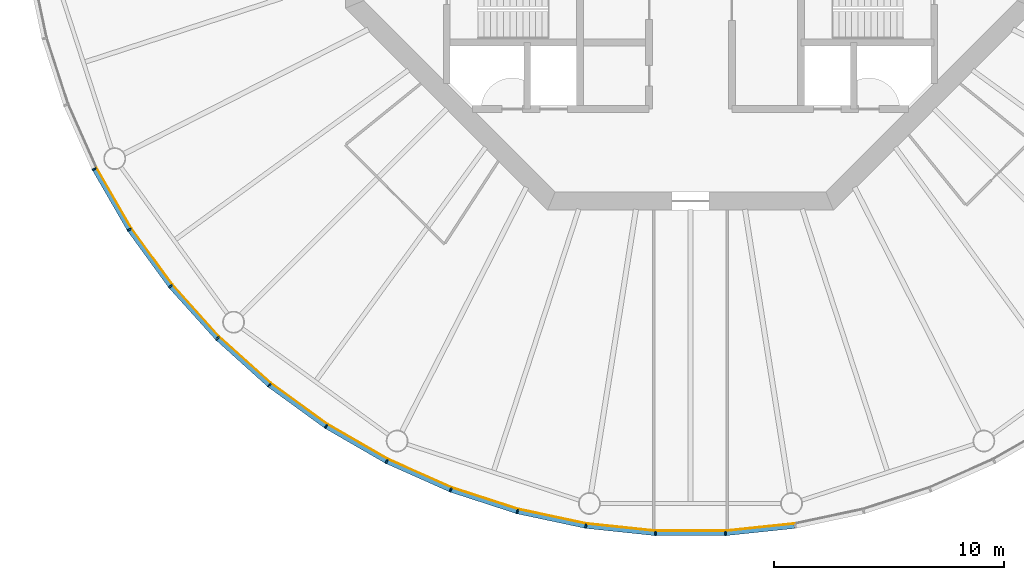
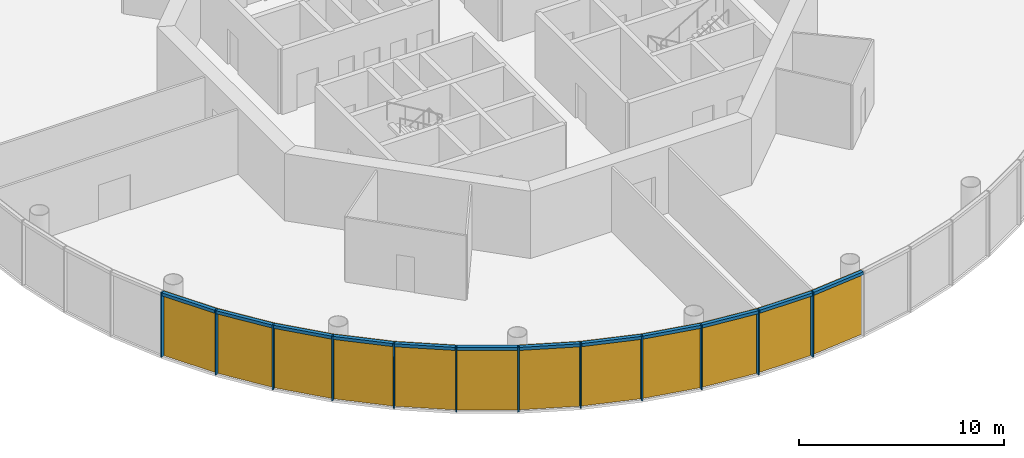
# One storey, part 6 of 12: 24 members, 4 curtain walls.
"""IFC4 building model written with IfcOpenShell, lengths in metres."""

from ifc_helpers import new_model, si_unit, direction, frame, origin, origin_2d, place, context, subcontext, project, spatial, polyline, rectangle, outline, extrude, material, layer, layer_set, material_profile, profile_set, type_object, element, aggregate, save


model = new_model("IFC4")

# Units and contexts
model_context = context("Model", 3, precision=1e-05, world=origin(), true_north=direction((0.0, 1.0)))
body_context = subcontext(model_context, "Body", "Model", "MODEL_VIEW")
ifc_project = project(units=[si_unit("LENGTHUNIT", "METRE"), si_unit("AREAUNIT", "SQUARE_METRE"), si_unit("VOLUMEUNIT", "CUBIC_METRE"), si_unit("PLANEANGLEUNIT", "RADIAN"), si_unit("MASSUNIT", "GRAM", prefix="KILO")], contexts=[model_context])

# Member
ifc_material_1 = material(Name="Anodised aluminium", Category="aluminium")
ifc_material_profile_1 = material_profile(ifc_material_1, rectangle(XDim=0.06494140625, YDim=0.195068359375, at=origin_2d()), Name="Mullion 65 x 195 mm anodised aluminium")
ifc_profile_set_1 = profile_set([ifc_material_profile_1], Name="Anodised aluminium")
member_type_1 = type_object("IfcMemberType", Name="Mullion 65 x 195 mm anodised aluminium", PredefinedType="MULLION", material=ifc_profile_set_1)
site_placement = place(None, origin())
building_placement = place(site_placement, origin())
storey_placement = place(building_placement, frame((0.0, 0.0, 322.0)))
member_1_placement = place(storey_placement, frame((64.073974609375, 66.7900390625, 0.0), z_axis=(0.0, 0.0, 1.0), x_axis=(0.45399049974, -0.891006524188, 0.0)))
member_1 = element("IfcMember", 1, at=member_1_placement, type_object=member_type_1, Name="MULLION L74-33", PredefinedType="MULLION", context=body_context, shape_type="SweptSolid", body=[
    extrude(rectangle(XDim=0.06494140625, YDim=0.195068359375, at=origin_2d()), origin(), (0.0, 0.0, 1.0), 3.85009765625),
])

member_2_placement = place(storey_placement, frame((65.5966796875, 64.15234375, 0.0), z_axis=(0.0, 0.0, 1.0), x_axis=(0.544639035015, -0.838670567945, 0.0)))
member_2 = element("IfcMember", 2, at=member_2_placement, type_object=member_type_1, Name="MULLION L74-34", PredefinedType="MULLION", context=body_context, shape_type="SweptSolid", body=[
    extrude(rectangle(XDim=0.06494140625, YDim=0.195068359375, at=origin_2d()), origin(), (0.0, 0.0, 1.0), 3.85009765625),
])

member_3_placement = place(storey_placement, frame((67.386962890625, 61.688232421875, 0.0), z_axis=(0.0, 0.0, 1.0), x_axis=(0.62932039105, -0.777145961457, 0.0)))
member_3 = element("IfcMember", 3, at=member_3_placement, type_object=member_type_1, Name="MULLION L74-35", PredefinedType="MULLION", context=body_context, shape_type="SweptSolid", body=[
    extrude(rectangle(XDim=0.06494140625, YDim=0.195068359375, at=origin_2d()), origin(), (0.0, 0.0, 1.0), 3.85009765625),
])

member_4_placement = place(storey_placement, frame((69.425048828125, 59.425048828125, 0.0), z_axis=(0.0, 0.0, 1.0), x_axis=(0.707106781187, -0.707106781187, 0.0)))
member_4 = element("IfcMember", 4, at=member_4_placement, type_object=member_type_1, Name="MULLION L74-36", PredefinedType="MULLION", context=body_context, shape_type="SweptSolid", body=[
    extrude(rectangle(XDim=0.06494140625, YDim=0.195068359375, at=origin_2d()), origin(), (0.0, 0.0, 1.0), 3.85009765625),
])

member_5_placement = place(storey_placement, frame((71.688232421875, 57.386962890625, 0.0), z_axis=(0.0, 0.0, 1.0), x_axis=(0.777145961457, -0.62932039105, 0.0)))
member_5 = element("IfcMember", 5, at=member_5_placement, type_object=member_type_1, Name="MULLION L74-37", PredefinedType="MULLION", context=body_context, shape_type="SweptSolid", body=[
    extrude(rectangle(XDim=0.06494140625, YDim=0.195068359375, at=origin_2d()), origin(), (0.0, 0.0, 1.0), 3.85009765625),
])

member_6_placement = place(storey_placement, frame((74.15234375, 55.5966796875, 0.0), z_axis=(0.0, 0.0, 1.0), x_axis=(0.838670567945, -0.544639035015, 0.0)))
member_6 = element("IfcMember", 6, at=member_6_placement, type_object=member_type_1, Name="MULLION L74-38", PredefinedType="MULLION", context=body_context, shape_type="SweptSolid", body=[
    extrude(rectangle(XDim=0.06494140625, YDim=0.195068359375, at=origin_2d()), origin(), (0.0, 0.0, 1.0), 3.85009765625),
])

member_7_placement = place(storey_placement, frame((76.7900390625, 54.073974609375, 0.0), z_axis=(0.0, 0.0, 1.0), x_axis=(0.891006524188, -0.45399049974, 0.0)))
member_7 = element("IfcMember", 7, at=member_7_placement, type_object=member_type_1, Name="MULLION L74-39", PredefinedType="MULLION", context=body_context, shape_type="SweptSolid", body=[
    extrude(rectangle(XDim=0.06494140625, YDim=0.195068359375, at=origin_2d()), origin(), (0.0, 0.0, 1.0), 3.85009765625),
])

member_8_placement = place(storey_placement, frame((79.572509765625, 52.835205078125, 0.0), z_axis=(0.0, 0.0, 1.0), x_axis=(0.933580426497, -0.358367949545, 0.0)))
member_8 = element("IfcMember", 8, at=member_8_placement, type_object=member_type_1, Name="MULLION L74-40", PredefinedType="MULLION", context=body_context, shape_type="SweptSolid", body=[
    extrude(rectangle(XDim=0.06494140625, YDim=0.195068359375, at=origin_2d()), origin(), (0.0, 0.0, 1.0), 3.85009765625),
])

member_9_placement = place(storey_placement, frame((82.468994140625, 51.89404296875, 0.0), z_axis=(0.0, 0.0, 1.0), x_axis=(0.965925826289, -0.258819045103, 0.0)))
member_9 = element("IfcMember", 9, at=member_9_placement, type_object=member_type_1, Name="MULLION L74-41", PredefinedType="MULLION", context=body_context, shape_type="SweptSolid", body=[
    extrude(rectangle(XDim=0.06494140625, YDim=0.195068359375, at=origin_2d()), origin(), (0.0, 0.0, 1.0), 3.85009765625),
])

member_10_placement = place(storey_placement, frame((85.4482421875, 51.2607421875, 0.0), z_axis=(0.0, 0.0, 1.0), x_axis=(0.987688340595, -0.15643446504, 0.0)))
member_10 = element("IfcMember", 10, at=member_10_placement, type_object=member_type_1, Name="MULLION L74-42", PredefinedType="MULLION", context=body_context, shape_type="SweptSolid", body=[
    extrude(rectangle(XDim=0.06494140625, YDim=0.195068359375, at=origin_2d()), origin(), (0.0, 0.0, 1.0), 3.85009765625),
])

member_11_placement = place(storey_placement, frame((88.47705078125, 50.9423828125, 0.0), z_axis=(0.0, 0.0, 1.0), x_axis=(0.998629534755, -0.052335956243, 0.0)))
member_11 = element("IfcMember", 11, at=member_11_placement, type_object=member_type_1, Name="MULLION L74-43", PredefinedType="MULLION", context=body_context, shape_type="SweptSolid", body=[
    extrude(rectangle(XDim=0.06494140625, YDim=0.195068359375, at=origin_2d()), origin(), (0.0, 0.0, 1.0), 3.85009765625),
])

member_12_placement = place(storey_placement, frame((91.52294921875, 50.9423828125, 0.0), z_axis=(0.0, 0.0, 1.0), x_axis=(0.998629534755, 0.052335956243, 0.0)))
member_12 = element("IfcMember", 12, at=member_12_placement, type_object=member_type_1, Name="MULLION L74-44", PredefinedType="MULLION", context=body_context, shape_type="SweptSolid", body=[
    extrude(rectangle(XDim=0.06494140625, YDim=0.195068359375, at=origin_2d()), origin(), (0.0, 0.0, 1.0), 3.85009765625),
])

ifc_material_2 = material(Name="Anodised aluminium", Category="aluminium")
ifc_material_profile_2 = material_profile(ifc_material_2, rectangle(XDim=0.195068359375, YDim=0.179931640625, at=origin_2d()), Name="Transom 180 x 195 mm anodised aluminium")
ifc_profile_set_2 = profile_set([ifc_material_profile_2], Name="Anodised aluminium")
member_type_2 = type_object("IfcMemberType", Name="Transom 180 x 195 mm anodised aluminium", PredefinedType="USERDEFINED", material=ifc_profile_set_2)
member_13_placement = place(storey_placement, frame((64.092529296875, 66.75732421875, 3.760009765625), z_axis=(0.500028367561, -0.866009025146, 0.0), x_axis=(0.866009025146, 0.500028367561, 0.0)))
member_13 = element("IfcMember", 13, at=member_13_placement, type_object=member_type_2, Name="TRANSOM L74-33", ObjectType="TRANSOM", PredefinedType="USERDEFINED", context=body_context, shape_type="SweptSolid", body=[
    extrude(rectangle(XDim=0.195068359375, YDim=0.179931640625, at=origin_2d()), origin(), (0.0, 0.0, 1.0), 2.970458984375),
])

member_14_placement = place(storey_placement, frame((65.618896484375, 64.121826171875, 3.760009765625), z_axis=(0.587765987476, -0.809030990733, 0.0), x_axis=(0.809030990733, 0.587765987476, 0.0)))
member_14 = element("IfcMember", 14, at=member_14_placement, type_object=member_type_2, Name="TRANSOM L74-34", ObjectType="TRANSOM", PredefinedType="USERDEFINED", context=body_context, shape_type="SweptSolid", body=[
    extrude(rectangle(XDim=0.195068359375, YDim=0.179931640625, at=origin_2d()), origin(), (0.0, 0.0, 1.0), 2.97021484375),
])

member_15_placement = place(storey_placement, frame((67.412109375, 61.660400390625, 3.760009765625), z_axis=(0.669110027395, -0.743163354343, 0.0), x_axis=(0.743163354343, 0.669110027395, 0.0)))
member_15 = element("IfcMember", 15, at=member_15_placement, type_object=member_type_2, Name="TRANSOM L74-35", ObjectType="TRANSOM", PredefinedType="USERDEFINED", context=body_context, shape_type="SweptSolid", body=[
    extrude(rectangle(XDim=0.195068359375, YDim=0.179931640625, at=origin_2d()), origin(), (0.0, 0.0, 1.0), 2.970458984375),
])

member_16_placement = place(storey_placement, frame((69.452880859375, 59.399658203125, 3.760009765625), z_axis=(0.743163354343, -0.669110027395, 0.0), x_axis=(0.669110027395, 0.743163354343, 0.0)))
member_16 = element("IfcMember", 16, at=member_16_placement, type_object=member_type_2, Name="TRANSOM L74-36", ObjectType="TRANSOM", PredefinedType="USERDEFINED", context=body_context, shape_type="SweptSolid", body=[
    extrude(rectangle(XDim=0.195068359375, YDim=0.179931640625, at=origin_2d()), origin(), (0.0, 0.0, 1.0), 2.970458984375),
])

member_17_placement = place(storey_placement, frame((71.71875, 57.36474609375, 3.760009765625), z_axis=(0.809030990733, -0.587765987476, 0.0), x_axis=(0.587765987476, 0.809030990733, 0.0)))
member_17 = element("IfcMember", 17, at=member_17_placement, type_object=member_type_2, Name="TRANSOM L74-37", ObjectType="TRANSOM", PredefinedType="USERDEFINED", context=body_context, shape_type="SweptSolid", body=[
    extrude(rectangle(XDim=0.195068359375, YDim=0.179931640625, at=origin_2d()), origin(), (0.0, 0.0, 1.0), 2.97021484375),
])

member_18_placement = place(storey_placement, frame((74.184814453125, 55.577880859375, 3.760009765625), z_axis=(0.866009025146, -0.500028367561, 0.0), x_axis=(0.500028367561, 0.866009025146, 0.0)))
member_18 = element("IfcMember", 18, at=member_18_placement, type_object=member_type_2, Name="TRANSOM L74-38", ObjectType="TRANSOM", PredefinedType="USERDEFINED", context=body_context, shape_type="SweptSolid", body=[
    extrude(rectangle(XDim=0.195068359375, YDim=0.179931640625, at=origin_2d()), origin(), (0.0, 0.0, 1.0), 2.970458984375),
])

member_19_placement = place(storey_placement, frame((76.82421875, 54.05859375, 3.760009765625), z_axis=(0.913550406593, -0.406725527369, 0.0), x_axis=(0.406725527369, 0.913550406593, 0.0)))
member_19 = element("IfcMember", 19, at=member_19_placement, type_object=member_type_2, Name="TRANSOM L74-39", ObjectType="TRANSOM", PredefinedType="USERDEFINED", context=body_context, shape_type="SweptSolid", body=[
    extrude(rectangle(XDim=0.195068359375, YDim=0.179931640625, at=origin_2d()), origin(), (0.0, 0.0, 1.0), 2.970703125),
])

member_20_placement = place(storey_placement, frame((79.608154296875, 52.823486328125, 3.760009765625), z_axis=(0.951047960094, -0.309043326415, 0.0), x_axis=(0.309043326415, 0.951047960094, 0.0)))
member_20 = element("IfcMember", 20, at=member_20_placement, type_object=member_type_2, Name="TRANSOM L74-40", ObjectType="TRANSOM", PredefinedType="USERDEFINED", context=body_context, shape_type="SweptSolid", body=[
    extrude(rectangle(XDim=0.195068359375, YDim=0.179931640625, at=origin_2d()), origin(), (0.0, 0.0, 1.0), 2.970458984375),
])

member_21_placement = place(storey_placement, frame((82.505859375, 51.885986328125, 3.760009765625), z_axis=(0.978141510112, -0.207940342877, 0.0), x_axis=(0.207940342877, 0.978141510112, 0.0)))
member_21 = element("IfcMember", 21, at=member_21_placement, type_object=member_type_2, Name="TRANSOM L74-41", ObjectType="TRANSOM", PredefinedType="USERDEFINED", context=body_context, shape_type="SweptSolid", body=[
    extrude(rectangle(XDim=0.195068359375, YDim=0.179931640625, at=origin_2d()), origin(), (0.0, 0.0, 1.0), 2.970458984375),
])

member_22_placement = place(storey_placement, frame((85.485595703125, 51.256591796875, 3.760009765625), z_axis=(0.994528397827, -0.104466577987, 0.0), x_axis=(0.104466577987, 0.994528397827, 0.0)))
member_22 = element("IfcMember", 22, at=member_22_placement, type_object=member_type_2, Name="TRANSOM L74-42", ObjectType="TRANSOM", PredefinedType="USERDEFINED", context=body_context, shape_type="SweptSolid", body=[
    extrude(rectangle(XDim=0.195068359375, YDim=0.179931640625, at=origin_2d()), origin(), (0.0, 0.0, 1.0), 2.970458984375),
])

member_23_placement = place(storey_placement, frame((88.5146484375, 50.942138671875, 3.760009765625), z_axis=(1.0, 0.0, 0.0), x_axis=(0.0, 1.0, 0.0)))
member_23 = element("IfcMember", 23, at=member_23_placement, type_object=member_type_2, Name="TRANSOM L74-43", ObjectType="TRANSOM", PredefinedType="USERDEFINED", context=body_context, shape_type="SweptSolid", body=[
    extrude(rectangle(XDim=0.195068359375, YDim=0.179931640625, at=origin_2d()), origin(), (0.0, 0.0, 1.0), 2.970703125),
])

member_24_placement = place(storey_placement, frame((91.560302734375, 50.9462890625, 3.760009765625), z_axis=(0.994528397827, 0.104466577987, 0.0), x_axis=(-0.104466577987, 0.994528397827, 0.0)))
member_24 = element("IfcMember", 24, at=member_24_placement, type_object=member_type_2, Name="TRANSOM L74-44", ObjectType="TRANSOM", PredefinedType="USERDEFINED", context=body_context, shape_type="SweptSolid", body=[
    extrude(rectangle(XDim=0.195068359375, YDim=0.179931640625, at=origin_2d()), origin(), (0.0, 0.0, 1.0), 2.970458984375),
])

# Site, building, storey
site = spatial("IfcSite", under=ifc_project, at=site_placement, CompositionType="ELEMENT")
building = spatial("IfcBuilding", under=site, at=building_placement, Name="Entoto Ring Tower", CompositionType="ELEMENT")
storey = spatial("IfcBuildingStorey", under=building, at=storey_placement, Name="L74", CompositionType="ELEMENT", Elevation=322.0)

# Curtain wall
ifc_material_3 = material(Name="Clear low-iron glass", Category="glass")
ifc_layer = layer(ifc_material_3, 0.033935546875)
ifc_layer_set = layer_set([ifc_layer], Name="Clear low-iron glass")
curtain_wall_type = type_object("IfcCurtainWallType", Name="Curtain wall system CW5 glazing 34 mm", PredefinedType="NOTDEFINED", material=ifc_layer_set)
curtain_wall_1_placement = place(storey_placement, origin())
curtain_wall_1 = element("IfcCurtainWall", 25, at=curtain_wall_1_placement, inside=storey, type_object=curtain_wall_type, Name="CW5 L74-12", PredefinedType="NOTDEFINED", context=body_context, shape_type="SweptSolid", body=[
    extrude(outline(polyline([(64.160888671875, 66.834228515625), (65.678466796875, 64.20556640625), (67.462646484375, 61.749755859375), (69.493896484375, 59.493896484375), (69.51806640625, 59.51806640625), (67.4892578125, 61.771240234375), (65.70703125, 64.22412109375), (64.191162109375, 66.849853515625), (64.160888671875, 66.834228515625)])), origin(), (0.0, 0.0, 1.0), 3.85009765625),
])

aggregate(curtain_wall_1, [member_1, member_2, member_3, member_13, member_14, member_15])

curtain_wall_2_placement = place(storey_placement, origin())
curtain_wall_2 = element("IfcCurtainWall", 26, at=curtain_wall_2_placement, inside=storey, type_object=curtain_wall_type, Name="CW5 L74-13", PredefinedType="NOTDEFINED", context=body_context, shape_type="SweptSolid", body=[
    extrude(outline(polyline([(69.493896484375, 59.493896484375), (71.749755859375, 57.462646484375), (74.20556640625, 55.678466796875), (76.834228515625, 54.160888671875), (76.849853515625, 54.191162109375), (74.22412109375, 55.70703125), (71.771240234375, 57.4892578125), (69.51806640625, 59.51806640625), (69.493896484375, 59.493896484375)])), origin(), (0.0, 0.0, 1.0), 3.85009765625),
])

aggregate(curtain_wall_2, [member_4, member_5, member_6, member_16, member_17, member_18])

curtain_wall_3_placement = place(storey_placement, origin())
curtain_wall_3 = element("IfcCurtainWall", 27, at=curtain_wall_3_placement, inside=storey, type_object=curtain_wall_type, Name="CW5 L74-14", PredefinedType="NOTDEFINED", context=body_context, shape_type="SweptSolid", body=[
    extrude(outline(polyline([(76.834228515625, 54.160888671875), (79.607421875, 52.92626953125), (82.494140625, 51.988037109375), (85.46337890625, 51.35693359375), (85.46875, 51.390625), (82.503173828125, 52.02099609375), (79.61962890625, 52.9580078125), (76.849853515625, 54.191162109375), (76.834228515625, 54.160888671875)])), origin(), (0.0, 0.0, 1.0), 3.85009765625),
])

aggregate(curtain_wall_3, [member_7, member_8, member_9, member_19, member_20, member_21])

curtain_wall_4_placement = place(storey_placement, origin())
curtain_wall_4 = element("IfcCurtainWall", 28, at=curtain_wall_4_placement, inside=storey, type_object=curtain_wall_type, Name="CW5 L74-15", PredefinedType="NOTDEFINED", context=body_context, shape_type="SweptSolid", body=[
    extrude(outline(polyline([(85.46337890625, 51.35693359375), (88.482177734375, 51.039794921875), (91.517822265625, 51.039794921875), (94.53662109375, 51.35693359375), (94.53125, 51.390625), (91.515869140625, 51.07373046875), (88.484130859375, 51.07373046875), (85.46875, 51.390625), (85.46337890625, 51.35693359375)])), origin(), (0.0, 0.0, 1.0), 3.85009765625),
])

aggregate(curtain_wall_4, [member_10, member_11, member_12, member_22, member_23, member_24])

save(model, "model.ifc")
